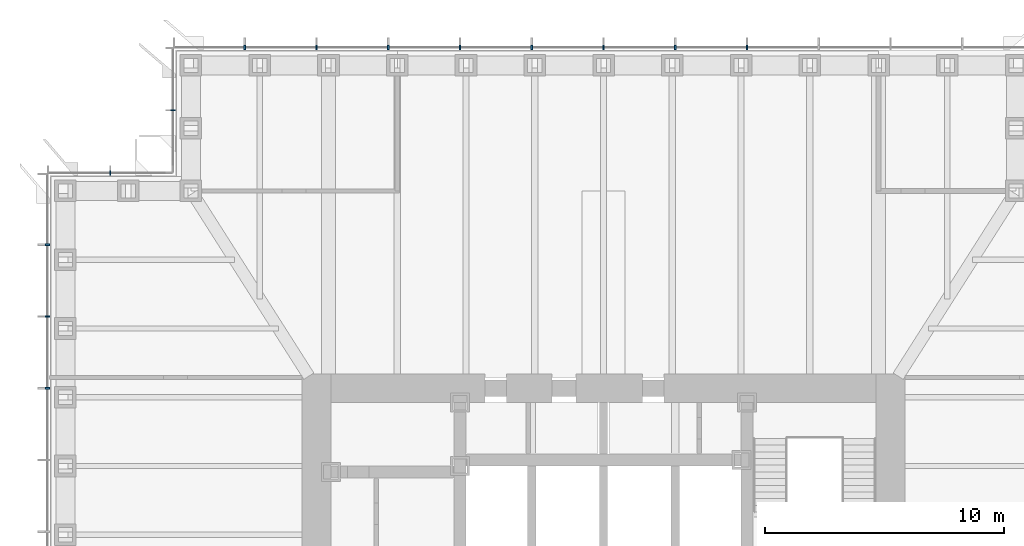
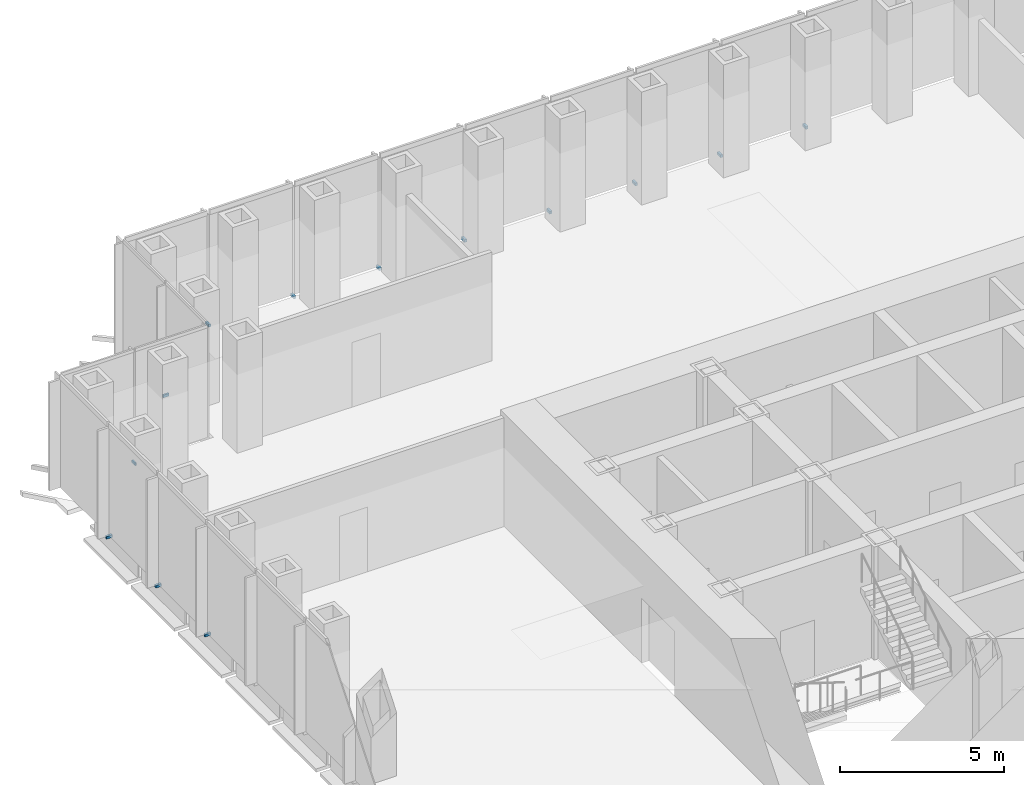
# One storey, part 14 of 17: 13 discrete accessories.
"""IFC4 building model written with IfcOpenShell, lengths in metres."""

from ifc_helpers import new_model, si_unit, direction, frame, origin, origin_2d, place, context, subcontext, project, spatial, rectangle, extrude, element, save


model = new_model("IFC4")

# Units and contexts
model_context = context("Model", 3, precision=1e-05, world=origin(), true_north=direction((0.0, 1.0)))
body_context = subcontext(model_context, "Body", "Model", "MODEL_VIEW")
ifc_project = project(units=[si_unit("LENGTHUNIT", "METRE"), si_unit("AREAUNIT", "SQUARE_METRE"), si_unit("VOLUMEUNIT", "CUBIC_METRE"), si_unit("PLANEANGLEUNIT", "RADIAN"), si_unit("MASSUNIT", "GRAM", prefix="KILO")], contexts=[model_context])

# Site, building, storey
site_placement = place(None, origin())
site = spatial("IfcSite", under=ifc_project, at=site_placement, CompositionType="ELEMENT")
building_placement = place(site_placement, origin())
building = spatial("IfcBuilding", under=site, at=building_placement, Name="Daluyong Arena Tower", CompositionType="ELEMENT")
storey_placement = place(building_placement, frame((0.0, 0.0, 112.300048828125)))
storey = spatial("IfcBuildingStorey", under=building, at=storey_placement, Name="L24", CompositionType="ELEMENT", Elevation=112.300048828125)

# Discrete accessories
for number, where, z_axis, x_axis, name in (
    (1, (62.0, 103.25, -0.10009765625), (0.0, 0.0, 1.0), (-1.0, 0.0, 0.0), "curtain wall L24 N anchor bracket 5"),
    (2, (59.0, 103.25, -0.10009765625), (0.0, 0.0, 1.0), (-1.0, 0.0, 0.0), "curtain wall L24 N anchor bracket 6"),
    (3, (56.0, 103.25, -0.10009765625), (0.0, 0.0, 1.0), (-1.0, 0.0, 0.0), "curtain wall L24 N anchor bracket 7"),
    (4, (53.0, 103.25, -0.10009765625), (0.0, 0.0, 1.0), (-1.0, 0.0, 0.0), "curtain wall L24 N anchor bracket 8"),
    (5, (50.0, 103.25, -0.10009765625), (0.0, 0.0, 1.0), (-1.0, 0.0, 0.0), "curtain wall L24 N anchor bracket 9"),
    (6, (47.0, 103.25, -0.10009765625), (0.0, 0.0, 1.0), (-1.0, 0.0, 0.0), "curtain wall L24 N anchor bracket 10"),
    (7, (44.0, 103.25, -0.10009765625), (0.0, 0.0, 1.0), (-1.0, 0.0, 0.0), "curtain wall L24 N anchor bracket 11"),
    (8, (41.0, 103.25, -0.10009765625), (0.0, 0.0, 1.0), (-1.0, 0.0, 0.0), "curtain wall L24 N anchor bracket 12"),
):
    element("IfcDiscreteAccessory", number, at=place(storey_placement, frame(where, z_axis=z_axis, x_axis=x_axis)), inside=storey, Name=name, PredefinedType="BRACKET", context=body_context, shape_type="SweptSolid", body=[
        extrude(rectangle(XDim=0.080078125, YDim=0.199951171875, at=origin_2d()), origin(), (0.0, 0.0, 1.0), 0.10009765625),
    ])
for number, where, z_axis, x_axis, name in (
    (9, (38.0, 100.625, -0.10009765625), (0.0, 0.0, 1.0), (0.0, -1.0, 0.0), "curtain wall L24 NW-W anchor bracket 2"),
    (10, (35.375, 98.0, -0.10009765625), (0.0, 0.0, 1.0), (-1.0, 0.0, 0.0), "curtain wall L24 NW-N anchor bracket 2"),
):
    element("IfcDiscreteAccessory", number, at=place(storey_placement, frame(where, z_axis=z_axis, x_axis=x_axis)), inside=storey, Name=name, PredefinedType="BRACKET", context=body_context, shape_type="SweptSolid", body=[
        extrude(rectangle(XDim=0.06005859375, YDim=0.199951171875, at=origin_2d()), origin(), (0.0, 0.0, 1.0), 0.10009765625),
    ])
for number, where, z_axis, x_axis, name in (
    (11, (32.75, 95.0, -0.10009765625), (0.0, 0.0, 1.0), (0.0, -1.0, 0.0), "curtain wall L24 W anchor bracket 2"),
    (12, (32.75, 92.0, -0.10009765625), (0.0, 0.0, 1.0), (0.0, -1.0, 0.0), "curtain wall L24 W anchor bracket 3"),
    (13, (32.75, 89.0, -0.10009765625), (0.0, 0.0, 1.0), (0.0, -1.0, 0.0), "curtain wall L24 W anchor bracket 4"),
):
    element("IfcDiscreteAccessory", number, at=place(storey_placement, frame(where, z_axis=z_axis, x_axis=x_axis)), inside=storey, Name=name, PredefinedType="BRACKET", context=body_context, shape_type="SweptSolid", body=[
        extrude(rectangle(XDim=0.080078125, YDim=0.199951171875, at=origin_2d()), origin(), (0.0, 0.0, 1.0), 0.10009765625),
    ])

save(model, "model.ifc")
